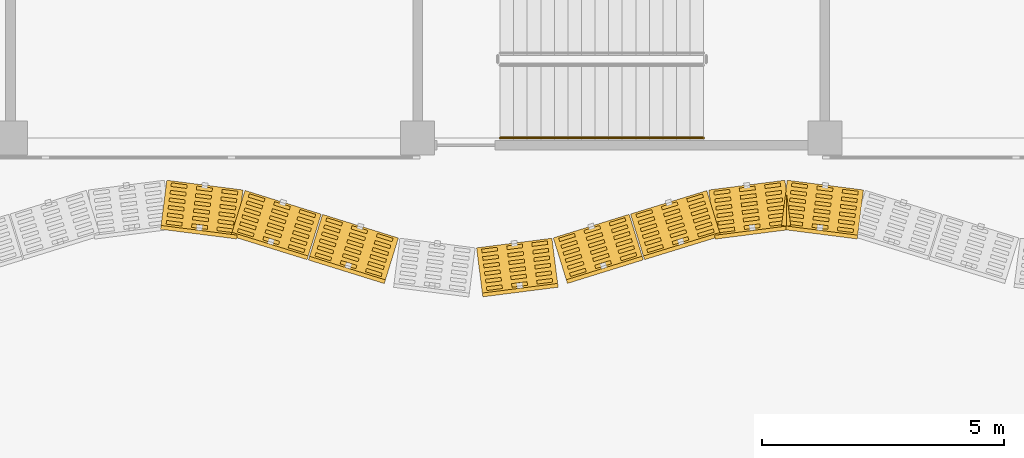
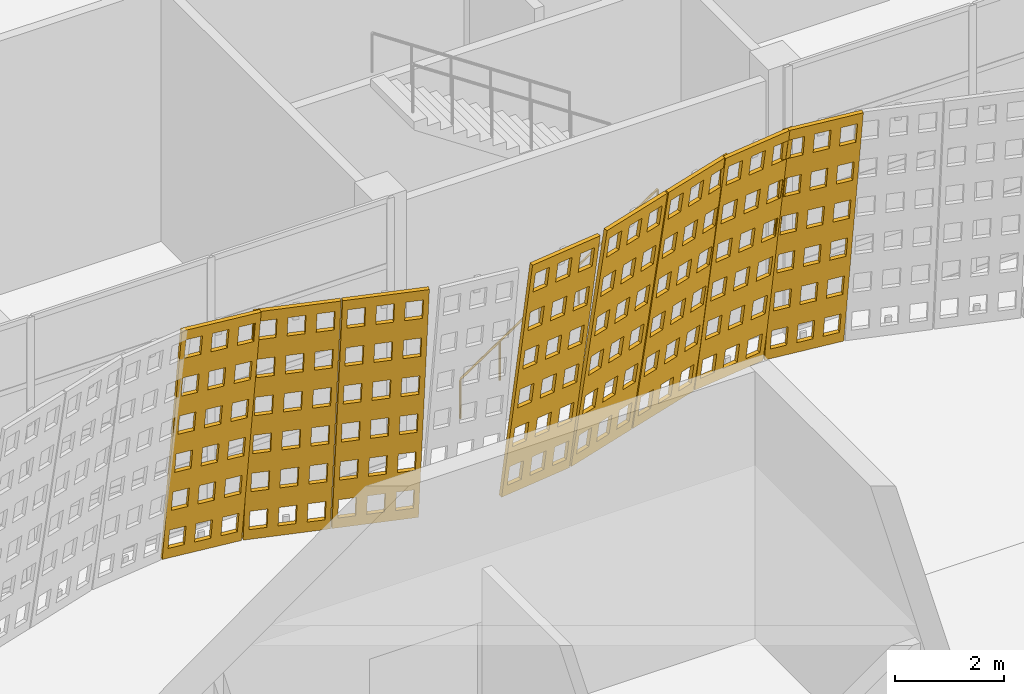
# One storey, part 193 of 210: 8 coverings, 1 railing.
"""IFC4 building model written with IfcOpenShell, lengths in metres."""

from ifc_helpers import new_model, si_unit, direction, frame, origin, origin_2d, place, context, subcontext, project, spatial, polyline, circle, outline, extrude, material, layer, layer_set, type_object, element, save


model = new_model("IFC4")

# Units and contexts
model_context = context("Model", 3, precision=1e-05, world=origin(), true_north=direction((0.0, 1.0)))
body_context = subcontext(model_context, "Body", "Model", "MODEL_VIEW")
ifc_project = project(units=[si_unit("LENGTHUNIT", "METRE"), si_unit("AREAUNIT", "SQUARE_METRE"), si_unit("VOLUMEUNIT", "CUBIC_METRE"), si_unit("PLANEANGLEUNIT", "RADIAN"), si_unit("MASSUNIT", "GRAM", prefix="KILO")], contexts=[model_context])

# Site, building, storey
site_placement = place(None, origin())
site = spatial("IfcSite", under=ifc_project, at=site_placement, CompositionType="ELEMENT")
building_placement = place(site_placement, origin())
building = spatial("IfcBuilding", under=site, at=building_placement, Name="Rain Tree Exposition and Congress Centre", CompositionType="ELEMENT")
storey_placement = place(building_placement, origin())
storey = spatial("IfcBuildingStorey", under=building, at=storey_placement, Name="L00", CompositionType="ELEMENT", Elevation=0.0)

# Railing
ifc_material_1 = material(Name="Aluminium handrail", Category="aluminium")
railing_type = type_object("IfcRailingType", Name="Concourse handrail 900", PredefinedType="HANDRAIL", material=ifc_material_1)
railing_placement = place(storey_placement, frame((211.699951171875, 75.60009765625, 0.1875)))
element("IfcRailing", 1, at=railing_placement, inside=storey, type_object=railing_type, Name="L00 ST-C5 stair handrail 1", PredefinedType="HANDRAIL", context=body_context, shape_type="SweptSolid", body=[
    extrude(circle(Radius=0.02392578125, at=origin_2d()), frame((0.0, 0.0, 0.8759765625), z_axis=(0.830904186295, 0.0, 0.556415522067), x_axis=(0.0, 1.0, 0.0)), (0.0, 0.0, 1.0), 5.0546875),
    extrude(circle(Radius=0.02099609375, at=origin_2d()), origin(), (0.0, 0.0, 1.0), 0.851806640625),
    extrude(circle(Radius=0.02099609375, at=origin_2d()), frame((0.840087890625, 0.0, 0.5625)), (0.0, 0.0, 1.0), 0.851806640625),
    extrude(circle(Radius=0.02099609375, at=origin_2d()), frame((1.679931640625, 0.0, 1.125)), (0.0, 0.0, 1.0), 0.851806640625),
    extrude(circle(Radius=0.02099609375, at=origin_2d()), frame((2.52001953125, 0.0, 1.6875)), (0.0, 0.0, 1.0), 0.851806640625),
    extrude(circle(Radius=0.02099609375, at=origin_2d()), frame((3.35986328125, 0.0, 2.25)), (0.0, 0.0, 1.0), 0.851806640625),
    extrude(circle(Radius=0.02099609375, at=origin_2d()), frame((4.199951171875, 0.0, 2.8125)), (0.0, 0.0, 1.0), 0.851806640625),
])

# Coverings
ifc_material_2 = material(Name="Perforated terracotta", Category="masonry")
ifc_layer = layer(ifc_material_2, 0.080078125)
ifc_layer_set = layer_set([ifc_layer], Name="Perforated terracotta")
covering_type = type_object("IfcCoveringType", Name="Terracotta screen 80", PredefinedType="CLADDING", material=ifc_layer_set)
covering_1_placement = place(storey_placement, frame((204.800048828125, 74.64990234375, 0.0), z_axis=(0.125030801275, 0.978899688033, 0.161625182136), x_axis=(-0.991941518713, 0.126696580272, 0.0)))
element("IfcCovering", 2, at=covering_1_placement, inside=storey, type_object=covering_type, Name="concourse/screen/L00/129", PredefinedType="CLADDING", context=body_context, shape_type="SweptSolid", body=[
    extrude(outline(polyline([(-0.014892578125, 0.0), (-1.59814453125, 0.0), (-1.59814453125, 5.813720703125), (-0.014892578125, 5.813720703125), (-0.014892578125, 0.0)]), holes=[polyline([(-0.115234375, 0.25), (-0.115234375, 0.718994140625), (-0.4423828125, 0.718994140625), (-0.4423828125, 0.25), (-0.115234375, 0.25)]), polyline([(-0.115234375, 1.218994140625), (-0.115234375, 1.687744140625), (-0.4423828125, 1.687744140625), (-0.4423828125, 1.218994140625), (-0.115234375, 1.218994140625)]), polyline([(-0.115234375, 2.18798828125), (-0.115234375, 2.65673828125), (-0.4423828125, 2.65673828125), (-0.4423828125, 2.18798828125), (-0.115234375, 2.18798828125)]), polyline([(-0.115234375, 3.156982421875), (-0.115234375, 3.625732421875), (-0.4423828125, 3.625732421875), (-0.4423828125, 3.156982421875), (-0.115234375, 3.156982421875)]), polyline([(-0.115234375, 4.125732421875), (-0.115234375, 4.594482421875), (-0.4423828125, 4.594482421875), (-0.4423828125, 4.125732421875), (-0.115234375, 4.125732421875)]), polyline([(-0.115234375, 5.0947265625), (-0.115234375, 5.563720703125), (-0.4423828125, 5.563720703125), (-0.4423828125, 5.0947265625), (-0.115234375, 5.0947265625)]), polyline([(-0.64306640625, 0.25), (-0.64306640625, 0.718994140625), (-0.97021484375, 0.718994140625), (-0.97021484375, 0.25), (-0.64306640625, 0.25)]), polyline([(-0.64306640625, 1.218994140625), (-0.64306640625, 1.687744140625), (-0.97021484375, 1.687744140625), (-0.97021484375, 1.218994140625), (-0.64306640625, 1.218994140625)]), polyline([(-0.64306640625, 2.18798828125), (-0.64306640625, 2.65673828125), (-0.97021484375, 2.65673828125), (-0.97021484375, 2.18798828125), (-0.64306640625, 2.18798828125)]), polyline([(-0.64306640625, 3.156982421875), (-0.64306640625, 3.625732421875), (-0.97021484375, 3.625732421875), (-0.97021484375, 3.156982421875), (-0.64306640625, 3.156982421875)]), polyline([(-0.64306640625, 4.125732421875), (-0.64306640625, 4.594482421875), (-0.97021484375, 4.594482421875), (-0.97021484375, 4.125732421875), (-0.64306640625, 4.125732421875)]), polyline([(-0.64306640625, 5.0947265625), (-0.64306640625, 5.563720703125), (-0.97021484375, 5.563720703125), (-0.97021484375, 5.0947265625), (-0.64306640625, 5.0947265625)]), polyline([(-1.170654296875, 0.25), (-1.170654296875, 0.718994140625), (-1.497802734375, 0.718994140625), (-1.497802734375, 0.25), (-1.170654296875, 0.25)]), polyline([(-1.170654296875, 1.218994140625), (-1.170654296875, 1.687744140625), (-1.497802734375, 1.687744140625), (-1.497802734375, 1.218994140625), (-1.170654296875, 1.218994140625)]), polyline([(-1.170654296875, 2.18798828125), (-1.170654296875, 2.65673828125), (-1.497802734375, 2.65673828125), (-1.497802734375, 2.18798828125), (-1.170654296875, 2.18798828125)]), polyline([(-1.170654296875, 3.156982421875), (-1.170654296875, 3.625732421875), (-1.497802734375, 3.625732421875), (-1.497802734375, 3.156982421875), (-1.170654296875, 3.156982421875)]), polyline([(-1.170654296875, 4.125732421875), (-1.170654296875, 4.594482421875), (-1.497802734375, 4.594482421875), (-1.497802734375, 4.125732421875), (-1.170654296875, 4.125732421875)]), polyline([(-1.170654296875, 5.0947265625), (-1.170654296875, 5.563720703125), (-1.497802734375, 5.563720703125), (-1.497802734375, 5.0947265625), (-1.170654296875, 5.0947265625)])]), origin(), (0.0, 0.0, 1.0), 0.080078125),
])
covering_2_placement = place(storey_placement, frame((206.39990234375, 74.445068359375, 0.0), z_axis=(0.293072736571, 0.943327870838, 0.155694891303), x_axis=(-0.954973588716, 0.296690823679, 0.0)))
element("IfcCovering", 3, at=covering_2_placement, inside=storey, type_object=covering_type, Name="concourse/screen/L00/130", PredefinedType="CLADDING", context=body_context, shape_type="SweptSolid", body=[
    extrude(outline(polyline([(-0.014892578125, 0.0), (-1.659912109375, 0.0), (-1.659912109375, 5.80859375), (-0.014892578125, 5.80859375), (-0.014892578125, 0.0)]), holes=[polyline([(-0.119140625, 0.249755859375), (-0.119140625, 0.71826171875), (-0.458984375, 0.71826171875), (-0.458984375, 0.249755859375), (-0.119140625, 0.249755859375)]), polyline([(-0.119140625, 1.218017578125), (-0.119140625, 1.686279296875), (-0.458984375, 1.686279296875), (-0.458984375, 1.218017578125), (-0.119140625, 1.218017578125)]), polyline([(-0.119140625, 2.18603515625), (-0.119140625, 2.654541015625), (-0.458984375, 2.654541015625), (-0.458984375, 2.18603515625), (-0.119140625, 2.18603515625)]), polyline([(-0.119140625, 3.154052734375), (-0.119140625, 3.62255859375), (-0.458984375, 3.62255859375), (-0.458984375, 3.154052734375), (-0.119140625, 3.154052734375)]), polyline([(-0.119140625, 4.122314453125), (-0.119140625, 4.5908203125), (-0.458984375, 4.5908203125), (-0.458984375, 4.122314453125), (-0.119140625, 4.122314453125)]), polyline([(-0.119140625, 5.09033203125), (-0.119140625, 5.558837890625), (-0.458984375, 5.558837890625), (-0.458984375, 5.09033203125), (-0.119140625, 5.09033203125)]), polyline([(-0.66748046875, 0.249755859375), (-0.66748046875, 0.71826171875), (-1.00732421875, 0.71826171875), (-1.00732421875, 0.249755859375), (-0.66748046875, 0.249755859375)]), polyline([(-0.66748046875, 1.218017578125), (-0.66748046875, 1.686279296875), (-1.00732421875, 1.686279296875), (-1.00732421875, 1.218017578125), (-0.66748046875, 1.218017578125)]), polyline([(-0.66748046875, 2.18603515625), (-0.66748046875, 2.654541015625), (-1.00732421875, 2.654541015625), (-1.00732421875, 2.18603515625), (-0.66748046875, 2.18603515625)]), polyline([(-0.66748046875, 3.154052734375), (-0.66748046875, 3.62255859375), (-1.00732421875, 3.62255859375), (-1.00732421875, 3.154052734375), (-0.66748046875, 3.154052734375)]), polyline([(-0.66748046875, 4.122314453125), (-0.66748046875, 4.5908203125), (-1.00732421875, 4.5908203125), (-1.00732421875, 4.122314453125), (-0.66748046875, 4.122314453125)]), polyline([(-0.66748046875, 5.09033203125), (-0.66748046875, 5.558837890625), (-1.00732421875, 5.558837890625), (-1.00732421875, 5.09033203125), (-0.66748046875, 5.09033203125)]), polyline([(-1.2158203125, 0.249755859375), (-1.2158203125, 0.71826171875), (-1.5556640625, 0.71826171875), (-1.5556640625, 0.249755859375), (-1.2158203125, 0.249755859375)]), polyline([(-1.2158203125, 1.218017578125), (-1.2158203125, 1.686279296875), (-1.5556640625, 1.686279296875), (-1.5556640625, 1.218017578125), (-1.2158203125, 1.218017578125)]), polyline([(-1.2158203125, 2.18603515625), (-1.2158203125, 2.654541015625), (-1.5556640625, 2.654541015625), (-1.5556640625, 2.18603515625), (-1.2158203125, 2.18603515625)]), polyline([(-1.2158203125, 3.154052734375), (-1.2158203125, 3.62255859375), (-1.5556640625, 3.62255859375), (-1.5556640625, 3.154052734375), (-1.2158203125, 3.154052734375)]), polyline([(-1.2158203125, 4.122314453125), (-1.2158203125, 4.5908203125), (-1.5556640625, 4.5908203125), (-1.5556640625, 4.122314453125), (-1.2158203125, 4.122314453125)]), polyline([(-1.2158203125, 5.09033203125), (-1.2158203125, 5.558837890625), (-1.5556640625, 5.558837890625), (-1.5556640625, 5.09033203125), (-1.2158203125, 5.09033203125)])]), origin(), (0.0, 0.0, 1.0), 0.080078125),
])
covering_3_placement = place(storey_placement, frame((208.0, 73.949951171875, 0.0), z_axis=(0.293072736571, 0.943327870838, 0.155694891303), x_axis=(-0.954973588716, 0.296690823679, 0.0)))
element("IfcCovering", 4, at=covering_3_placement, inside=storey, type_object=covering_type, Name="concourse/screen/L00/131", PredefinedType="CLADDING", context=body_context, shape_type="SweptSolid", body=[
    extrude(outline(polyline([(-0.014892578125, 0.0), (-1.65283203125, 0.0), (-1.65283203125, 5.80859375), (-0.014892578125, 5.80859375), (-0.014892578125, 0.0)]), holes=[polyline([(-0.11865234375, 0.249755859375), (-0.11865234375, 0.71826171875), (-0.457275390625, 0.71826171875), (-0.457275390625, 0.249755859375), (-0.11865234375, 0.249755859375)]), polyline([(-0.11865234375, 1.218017578125), (-0.11865234375, 1.686279296875), (-0.457275390625, 1.686279296875), (-0.457275390625, 1.218017578125), (-0.11865234375, 1.218017578125)]), polyline([(-0.11865234375, 2.18603515625), (-0.11865234375, 2.654541015625), (-0.457275390625, 2.654541015625), (-0.457275390625, 2.18603515625), (-0.11865234375, 2.18603515625)]), polyline([(-0.11865234375, 3.154052734375), (-0.11865234375, 3.62255859375), (-0.457275390625, 3.62255859375), (-0.457275390625, 3.154052734375), (-0.11865234375, 3.154052734375)]), polyline([(-0.11865234375, 4.122314453125), (-0.11865234375, 4.5908203125), (-0.457275390625, 4.5908203125), (-0.457275390625, 4.122314453125), (-0.11865234375, 4.122314453125)]), polyline([(-0.11865234375, 5.09033203125), (-0.11865234375, 5.558837890625), (-0.457275390625, 5.558837890625), (-0.457275390625, 5.09033203125), (-0.11865234375, 5.09033203125)]), polyline([(-0.664794921875, 0.249755859375), (-0.664794921875, 0.71826171875), (-1.003173828125, 0.71826171875), (-1.003173828125, 0.249755859375), (-0.664794921875, 0.249755859375)]), polyline([(-0.664794921875, 1.218017578125), (-0.664794921875, 1.686279296875), (-1.003173828125, 1.686279296875), (-1.003173828125, 1.218017578125), (-0.664794921875, 1.218017578125)]), polyline([(-0.664794921875, 2.18603515625), (-0.664794921875, 2.654541015625), (-1.003173828125, 2.654541015625), (-1.003173828125, 2.18603515625), (-0.664794921875, 2.18603515625)]), polyline([(-0.664794921875, 3.154052734375), (-0.664794921875, 3.62255859375), (-1.003173828125, 3.62255859375), (-1.003173828125, 3.154052734375), (-0.664794921875, 3.154052734375)]), polyline([(-0.664794921875, 4.122314453125), (-0.664794921875, 4.5908203125), (-1.003173828125, 4.5908203125), (-1.003173828125, 4.122314453125), (-0.664794921875, 4.122314453125)]), polyline([(-0.664794921875, 5.09033203125), (-0.664794921875, 5.558837890625), (-1.003173828125, 5.558837890625), (-1.003173828125, 5.09033203125), (-0.664794921875, 5.09033203125)]), polyline([(-1.210693359375, 0.249755859375), (-1.210693359375, 0.71826171875), (-1.54931640625, 0.71826171875), (-1.54931640625, 0.249755859375), (-1.210693359375, 0.249755859375)]), polyline([(-1.210693359375, 1.218017578125), (-1.210693359375, 1.686279296875), (-1.54931640625, 1.686279296875), (-1.54931640625, 1.218017578125), (-1.210693359375, 1.218017578125)]), polyline([(-1.210693359375, 2.18603515625), (-1.210693359375, 2.654541015625), (-1.54931640625, 2.654541015625), (-1.54931640625, 2.18603515625), (-1.210693359375, 2.18603515625)]), polyline([(-1.210693359375, 3.154052734375), (-1.210693359375, 3.62255859375), (-1.54931640625, 3.62255859375), (-1.54931640625, 3.154052734375), (-1.210693359375, 3.154052734375)]), polyline([(-1.210693359375, 4.122314453125), (-1.210693359375, 4.5908203125), (-1.54931640625, 4.5908203125), (-1.54931640625, 4.122314453125), (-1.210693359375, 4.122314453125)]), polyline([(-1.210693359375, 5.09033203125), (-1.210693359375, 5.558837890625), (-1.54931640625, 5.558837890625), (-1.54931640625, 5.09033203125), (-1.210693359375, 5.09033203125)])]), origin(), (0.0, 0.0, 1.0), 0.080078125),
])
covering_4_placement = place(storey_placement, frame((211.199951171875, 73.25, 0.0), z_axis=(-0.125030801275, 0.978899688033, 0.161625182136), x_axis=(-0.991941518713, -0.126696580272, 0.0)))
element("IfcCovering", 5, at=covering_4_placement, inside=storey, type_object=covering_type, Name="concourse/screen/L00/133", PredefinedType="CLADDING", context=body_context, shape_type="SweptSolid", body=[
    extrude(outline(polyline([(-0.025146484375, 0.0), (-1.59130859375, 0.0), (-1.59130859375, 5.813720703125), (-0.025146484375, 5.813720703125), (-0.025146484375, 0.0)]), holes=[polyline([(-0.12451171875, 0.25), (-0.12451171875, 0.718994140625), (-0.447998046875, 0.718994140625), (-0.447998046875, 0.25), (-0.12451171875, 0.25)]), polyline([(-0.12451171875, 1.218994140625), (-0.12451171875, 1.687744140625), (-0.447998046875, 1.687744140625), (-0.447998046875, 1.218994140625), (-0.12451171875, 1.218994140625)]), polyline([(-0.12451171875, 2.18798828125), (-0.12451171875, 2.65673828125), (-0.447998046875, 2.65673828125), (-0.447998046875, 2.18798828125), (-0.12451171875, 2.18798828125)]), polyline([(-0.12451171875, 3.156982421875), (-0.12451171875, 3.625732421875), (-0.447998046875, 3.625732421875), (-0.447998046875, 3.156982421875), (-0.12451171875, 3.156982421875)]), polyline([(-0.12451171875, 4.125732421875), (-0.12451171875, 4.594482421875), (-0.447998046875, 4.594482421875), (-0.447998046875, 4.125732421875), (-0.12451171875, 4.125732421875)]), polyline([(-0.12451171875, 5.0947265625), (-0.12451171875, 5.563720703125), (-0.447998046875, 5.563720703125), (-0.447998046875, 5.0947265625), (-0.12451171875, 5.0947265625)]), polyline([(-0.646484375, 0.25), (-0.646484375, 0.718994140625), (-0.969970703125, 0.718994140625), (-0.969970703125, 0.25), (-0.646484375, 0.25)]), polyline([(-0.646484375, 1.218994140625), (-0.646484375, 1.687744140625), (-0.969970703125, 1.687744140625), (-0.969970703125, 1.218994140625), (-0.646484375, 1.218994140625)]), polyline([(-0.646484375, 2.18798828125), (-0.646484375, 2.65673828125), (-0.969970703125, 2.65673828125), (-0.969970703125, 2.18798828125), (-0.646484375, 2.18798828125)]), polyline([(-0.646484375, 3.156982421875), (-0.646484375, 3.625732421875), (-0.969970703125, 3.625732421875), (-0.969970703125, 3.156982421875), (-0.646484375, 3.156982421875)]), polyline([(-0.646484375, 4.125732421875), (-0.646484375, 4.594482421875), (-0.969970703125, 4.594482421875), (-0.969970703125, 4.125732421875), (-0.646484375, 4.125732421875)]), polyline([(-0.646484375, 5.0947265625), (-0.646484375, 5.563720703125), (-0.969970703125, 5.563720703125), (-0.969970703125, 5.0947265625), (-0.646484375, 5.0947265625)]), polyline([(-1.16845703125, 0.25), (-1.16845703125, 0.718994140625), (-1.491943359375, 0.718994140625), (-1.491943359375, 0.25), (-1.16845703125, 0.25)]), polyline([(-1.16845703125, 1.218994140625), (-1.16845703125, 1.687744140625), (-1.491943359375, 1.687744140625), (-1.491943359375, 1.218994140625), (-1.16845703125, 1.218994140625)]), polyline([(-1.16845703125, 2.18798828125), (-1.16845703125, 2.65673828125), (-1.491943359375, 2.65673828125), (-1.491943359375, 2.18798828125), (-1.16845703125, 2.18798828125)]), polyline([(-1.16845703125, 3.156982421875), (-1.16845703125, 3.625732421875), (-1.491943359375, 3.625732421875), (-1.491943359375, 3.156982421875), (-1.16845703125, 3.156982421875)]), polyline([(-1.16845703125, 4.125732421875), (-1.16845703125, 4.594482421875), (-1.491943359375, 4.594482421875), (-1.491943359375, 4.125732421875), (-1.16845703125, 4.125732421875)]), polyline([(-1.16845703125, 5.0947265625), (-1.16845703125, 5.563720703125), (-1.491943359375, 5.563720703125), (-1.491943359375, 5.0947265625), (-1.16845703125, 5.0947265625)])]), origin(), (0.0, 0.0, 1.0), 0.080078125),
])
covering_5_placement = place(storey_placement, frame((212.800048828125, 73.455078125, 0.0), z_axis=(-0.293072736571, 0.943327870838, 0.155694891303), x_axis=(-0.954973588716, -0.296690823679, 0.0)))
element("IfcCovering", 6, at=covering_5_placement, inside=storey, type_object=covering_type, Name="concourse/screen/L00/134", PredefinedType="CLADDING", context=body_context, shape_type="SweptSolid", body=[
    extrude(outline(polyline([(-0.02197265625, 0.0), (-1.659912109375, 0.0), (-1.659912109375, 5.80859375), (-0.02197265625, 5.80859375), (-0.02197265625, 0.0)]), holes=[polyline([(-0.125732421875, 0.249755859375), (-0.125732421875, 0.71826171875), (-0.464111328125, 0.71826171875), (-0.464111328125, 0.249755859375), (-0.125732421875, 0.249755859375)]), polyline([(-0.125732421875, 1.218017578125), (-0.125732421875, 1.686279296875), (-0.464111328125, 1.686279296875), (-0.464111328125, 1.218017578125), (-0.125732421875, 1.218017578125)]), polyline([(-0.125732421875, 2.18603515625), (-0.125732421875, 2.654541015625), (-0.464111328125, 2.654541015625), (-0.464111328125, 2.18603515625), (-0.125732421875, 2.18603515625)]), polyline([(-0.125732421875, 3.154052734375), (-0.125732421875, 3.62255859375), (-0.464111328125, 3.62255859375), (-0.464111328125, 3.154052734375), (-0.125732421875, 3.154052734375)]), polyline([(-0.125732421875, 4.122314453125), (-0.125732421875, 4.5908203125), (-0.464111328125, 4.5908203125), (-0.464111328125, 4.122314453125), (-0.125732421875, 4.122314453125)]), polyline([(-0.125732421875, 5.09033203125), (-0.125732421875, 5.558837890625), (-0.464111328125, 5.558837890625), (-0.464111328125, 5.09033203125), (-0.125732421875, 5.09033203125)]), polyline([(-0.671630859375, 0.249755859375), (-0.671630859375, 0.71826171875), (-1.010009765625, 0.71826171875), (-1.010009765625, 0.249755859375), (-0.671630859375, 0.249755859375)]), polyline([(-0.671630859375, 1.218017578125), (-0.671630859375, 1.686279296875), (-1.010009765625, 1.686279296875), (-1.010009765625, 1.218017578125), (-0.671630859375, 1.218017578125)]), polyline([(-0.671630859375, 2.18603515625), (-0.671630859375, 2.654541015625), (-1.010009765625, 2.654541015625), (-1.010009765625, 2.18603515625), (-0.671630859375, 2.18603515625)]), polyline([(-0.671630859375, 3.154052734375), (-0.671630859375, 3.62255859375), (-1.010009765625, 3.62255859375), (-1.010009765625, 3.154052734375), (-0.671630859375, 3.154052734375)]), polyline([(-0.671630859375, 4.122314453125), (-0.671630859375, 4.5908203125), (-1.010009765625, 4.5908203125), (-1.010009765625, 4.122314453125), (-0.671630859375, 4.122314453125)]), polyline([(-0.671630859375, 5.09033203125), (-0.671630859375, 5.558837890625), (-1.010009765625, 5.558837890625), (-1.010009765625, 5.09033203125), (-0.671630859375, 5.09033203125)]), polyline([(-1.217529296875, 0.249755859375), (-1.217529296875, 0.71826171875), (-1.55615234375, 0.71826171875), (-1.55615234375, 0.249755859375), (-1.217529296875, 0.249755859375)]), polyline([(-1.217529296875, 1.218017578125), (-1.217529296875, 1.686279296875), (-1.55615234375, 1.686279296875), (-1.55615234375, 1.218017578125), (-1.217529296875, 1.218017578125)]), polyline([(-1.217529296875, 2.18603515625), (-1.217529296875, 2.654541015625), (-1.55615234375, 2.654541015625), (-1.55615234375, 2.18603515625), (-1.217529296875, 2.18603515625)]), polyline([(-1.217529296875, 3.154052734375), (-1.217529296875, 3.62255859375), (-1.55615234375, 3.62255859375), (-1.55615234375, 3.154052734375), (-1.217529296875, 3.154052734375)]), polyline([(-1.217529296875, 4.122314453125), (-1.217529296875, 4.5908203125), (-1.55615234375, 4.5908203125), (-1.55615234375, 4.122314453125), (-1.217529296875, 4.122314453125)]), polyline([(-1.217529296875, 5.09033203125), (-1.217529296875, 5.558837890625), (-1.55615234375, 5.558837890625), (-1.55615234375, 5.09033203125), (-1.217529296875, 5.09033203125)])]), origin(), (0.0, 0.0, 1.0), 0.080078125),
])
covering_6_placement = place(storey_placement, frame((214.39990234375, 73.949951171875, 0.0), z_axis=(-0.290278371326, 0.94416859726, 0.155833651975), x_axis=(-0.955845867297, -0.293868470528, 0.0)))
element("IfcCovering", 7, at=covering_6_placement, inside=storey, type_object=covering_type, Name="concourse/screen/L00/135", PredefinedType="CLADDING", context=body_context, shape_type="SweptSolid", body=[
    extrude(outline(polyline([(-0.014892578125, 0.0), (-1.659912109375, 0.0), (-1.659912109375, 5.80859375), (-0.014892578125, 5.80859375), (-0.014892578125, 0.0)]), holes=[polyline([(-0.119140625, 0.249755859375), (-0.119140625, 0.71826171875), (-0.458984375, 0.71826171875), (-0.458984375, 0.249755859375), (-0.119140625, 0.249755859375)]), polyline([(-0.119140625, 1.218017578125), (-0.119140625, 1.686279296875), (-0.458984375, 1.686279296875), (-0.458984375, 1.218017578125), (-0.119140625, 1.218017578125)]), polyline([(-0.119140625, 2.18603515625), (-0.119140625, 2.654541015625), (-0.458984375, 2.654541015625), (-0.458984375, 2.18603515625), (-0.119140625, 2.18603515625)]), polyline([(-0.119140625, 3.154052734375), (-0.119140625, 3.62255859375), (-0.458984375, 3.62255859375), (-0.458984375, 3.154052734375), (-0.119140625, 3.154052734375)]), polyline([(-0.119140625, 4.122314453125), (-0.119140625, 4.5908203125), (-0.458984375, 4.5908203125), (-0.458984375, 4.122314453125), (-0.119140625, 4.122314453125)]), polyline([(-0.119140625, 5.09033203125), (-0.119140625, 5.558837890625), (-0.458984375, 5.558837890625), (-0.458984375, 5.09033203125), (-0.119140625, 5.09033203125)]), polyline([(-0.66748046875, 0.249755859375), (-0.66748046875, 0.71826171875), (-1.00732421875, 0.71826171875), (-1.00732421875, 0.249755859375), (-0.66748046875, 0.249755859375)]), polyline([(-0.66748046875, 1.218017578125), (-0.66748046875, 1.686279296875), (-1.00732421875, 1.686279296875), (-1.00732421875, 1.218017578125), (-0.66748046875, 1.218017578125)]), polyline([(-0.66748046875, 2.18603515625), (-0.66748046875, 2.654541015625), (-1.00732421875, 2.654541015625), (-1.00732421875, 2.18603515625), (-0.66748046875, 2.18603515625)]), polyline([(-0.66748046875, 3.154052734375), (-0.66748046875, 3.62255859375), (-1.00732421875, 3.62255859375), (-1.00732421875, 3.154052734375), (-0.66748046875, 3.154052734375)]), polyline([(-0.66748046875, 4.122314453125), (-0.66748046875, 4.5908203125), (-1.00732421875, 4.5908203125), (-1.00732421875, 4.122314453125), (-0.66748046875, 4.122314453125)]), polyline([(-0.66748046875, 5.09033203125), (-0.66748046875, 5.558837890625), (-1.00732421875, 5.558837890625), (-1.00732421875, 5.09033203125), (-0.66748046875, 5.09033203125)]), polyline([(-1.2158203125, 0.249755859375), (-1.2158203125, 0.71826171875), (-1.5556640625, 0.71826171875), (-1.5556640625, 0.249755859375), (-1.2158203125, 0.249755859375)]), polyline([(-1.2158203125, 1.218017578125), (-1.2158203125, 1.686279296875), (-1.5556640625, 1.686279296875), (-1.5556640625, 1.218017578125), (-1.2158203125, 1.218017578125)]), polyline([(-1.2158203125, 2.18603515625), (-1.2158203125, 2.654541015625), (-1.5556640625, 2.654541015625), (-1.5556640625, 2.18603515625), (-1.2158203125, 2.18603515625)]), polyline([(-1.2158203125, 3.154052734375), (-1.2158203125, 3.62255859375), (-1.5556640625, 3.62255859375), (-1.5556640625, 3.154052734375), (-1.2158203125, 3.154052734375)]), polyline([(-1.2158203125, 4.122314453125), (-1.2158203125, 4.5908203125), (-1.5556640625, 4.5908203125), (-1.5556640625, 4.122314453125), (-1.2158203125, 4.122314453125)]), polyline([(-1.2158203125, 5.09033203125), (-1.2158203125, 5.558837890625), (-1.5556640625, 5.558837890625), (-1.5556640625, 5.09033203125), (-1.2158203125, 5.09033203125)])]), origin(), (0.0, 0.0, 1.0), 0.079833984375),
])
covering_7_placement = place(storey_placement, frame((216.0, 74.445068359375, 0.0), z_axis=(-0.125405134464, 0.978771781185, 0.162109076259), x_axis=(-0.991891686382, -0.127086122318, 0.0)))
element("IfcCovering", 8, at=covering_7_placement, inside=storey, type_object=covering_type, Name="concourse/screen/L00/136", PredefinedType="CLADDING", context=body_context, shape_type="SweptSolid", body=[
    extrude(outline(polyline([(-0.014892578125, 0.0), (-1.59814453125, 0.0), (-1.59814453125, 5.813720703125), (-0.014892578125, 5.813720703125), (-0.014892578125, 0.0)]), holes=[polyline([(-0.115234375, 0.25), (-0.115234375, 0.718994140625), (-0.4423828125, 0.718994140625), (-0.4423828125, 0.25), (-0.115234375, 0.25)]), polyline([(-0.115234375, 1.218994140625), (-0.115234375, 1.687744140625), (-0.4423828125, 1.687744140625), (-0.4423828125, 1.218994140625), (-0.115234375, 1.218994140625)]), polyline([(-0.115234375, 2.18798828125), (-0.115234375, 2.65673828125), (-0.4423828125, 2.65673828125), (-0.4423828125, 2.18798828125), (-0.115234375, 2.18798828125)]), polyline([(-0.115234375, 3.156982421875), (-0.115234375, 3.625732421875), (-0.4423828125, 3.625732421875), (-0.4423828125, 3.156982421875), (-0.115234375, 3.156982421875)]), polyline([(-0.115234375, 4.125732421875), (-0.115234375, 4.594482421875), (-0.4423828125, 4.594482421875), (-0.4423828125, 4.125732421875), (-0.115234375, 4.125732421875)]), polyline([(-0.115234375, 5.0947265625), (-0.115234375, 5.563720703125), (-0.4423828125, 5.563720703125), (-0.4423828125, 5.0947265625), (-0.115234375, 5.0947265625)]), polyline([(-0.64306640625, 0.25), (-0.64306640625, 0.718994140625), (-0.97021484375, 0.718994140625), (-0.97021484375, 0.25), (-0.64306640625, 0.25)]), polyline([(-0.64306640625, 1.218994140625), (-0.64306640625, 1.687744140625), (-0.97021484375, 1.687744140625), (-0.97021484375, 1.218994140625), (-0.64306640625, 1.218994140625)]), polyline([(-0.64306640625, 2.18798828125), (-0.64306640625, 2.65673828125), (-0.97021484375, 2.65673828125), (-0.97021484375, 2.18798828125), (-0.64306640625, 2.18798828125)]), polyline([(-0.64306640625, 3.156982421875), (-0.64306640625, 3.625732421875), (-0.97021484375, 3.625732421875), (-0.97021484375, 3.156982421875), (-0.64306640625, 3.156982421875)]), polyline([(-0.64306640625, 4.125732421875), (-0.64306640625, 4.594482421875), (-0.97021484375, 4.594482421875), (-0.97021484375, 4.125732421875), (-0.64306640625, 4.125732421875)]), polyline([(-0.64306640625, 5.0947265625), (-0.64306640625, 5.563720703125), (-0.97021484375, 5.563720703125), (-0.97021484375, 5.0947265625), (-0.64306640625, 5.0947265625)]), polyline([(-1.170654296875, 0.25), (-1.170654296875, 0.718994140625), (-1.497802734375, 0.718994140625), (-1.497802734375, 0.25), (-1.170654296875, 0.25)]), polyline([(-1.170654296875, 1.218994140625), (-1.170654296875, 1.687744140625), (-1.497802734375, 1.687744140625), (-1.497802734375, 1.218994140625), (-1.170654296875, 1.218994140625)]), polyline([(-1.170654296875, 2.18798828125), (-1.170654296875, 2.65673828125), (-1.497802734375, 2.65673828125), (-1.497802734375, 2.18798828125), (-1.170654296875, 2.18798828125)]), polyline([(-1.170654296875, 3.156982421875), (-1.170654296875, 3.625732421875), (-1.497802734375, 3.625732421875), (-1.497802734375, 3.156982421875), (-1.170654296875, 3.156982421875)]), polyline([(-1.170654296875, 4.125732421875), (-1.170654296875, 4.594482421875), (-1.497802734375, 4.594482421875), (-1.497802734375, 4.125732421875), (-1.170654296875, 4.125732421875)]), polyline([(-1.170654296875, 5.0947265625), (-1.170654296875, 5.563720703125), (-1.497802734375, 5.563720703125), (-1.497802734375, 5.0947265625), (-1.170654296875, 5.0947265625)])]), origin(), (0.0, 0.0, 1.0), 0.079833984375),
])
covering_8_placement = place(storey_placement, frame((217.60009765625, 74.64990234375, 0.0), z_axis=(0.125030801275, 0.978899688033, 0.161625182136), x_axis=(-0.991941518713, 0.126696580272, 0.0)))
element("IfcCovering", 9, at=covering_8_placement, inside=storey, type_object=covering_type, Name="concourse/screen/L00/137", PredefinedType="CLADDING", context=body_context, shape_type="SweptSolid", body=[
    extrude(outline(polyline([(-0.014892578125, 0.0), (-1.59814453125, 0.0), (-1.59814453125, 5.813720703125), (-0.014892578125, 5.813720703125), (-0.014892578125, 0.0)]), holes=[polyline([(-0.115234375, 0.25), (-0.115234375, 0.718994140625), (-0.4423828125, 0.718994140625), (-0.4423828125, 0.25), (-0.115234375, 0.25)]), polyline([(-0.115234375, 1.218994140625), (-0.115234375, 1.687744140625), (-0.4423828125, 1.687744140625), (-0.4423828125, 1.218994140625), (-0.115234375, 1.218994140625)]), polyline([(-0.115234375, 2.18798828125), (-0.115234375, 2.65673828125), (-0.4423828125, 2.65673828125), (-0.4423828125, 2.18798828125), (-0.115234375, 2.18798828125)]), polyline([(-0.115234375, 3.156982421875), (-0.115234375, 3.625732421875), (-0.4423828125, 3.625732421875), (-0.4423828125, 3.156982421875), (-0.115234375, 3.156982421875)]), polyline([(-0.115234375, 4.125732421875), (-0.115234375, 4.594482421875), (-0.4423828125, 4.594482421875), (-0.4423828125, 4.125732421875), (-0.115234375, 4.125732421875)]), polyline([(-0.115234375, 5.0947265625), (-0.115234375, 5.563720703125), (-0.4423828125, 5.563720703125), (-0.4423828125, 5.0947265625), (-0.115234375, 5.0947265625)]), polyline([(-0.64306640625, 0.25), (-0.64306640625, 0.718994140625), (-0.97021484375, 0.718994140625), (-0.97021484375, 0.25), (-0.64306640625, 0.25)]), polyline([(-0.64306640625, 1.218994140625), (-0.64306640625, 1.687744140625), (-0.97021484375, 1.687744140625), (-0.97021484375, 1.218994140625), (-0.64306640625, 1.218994140625)]), polyline([(-0.64306640625, 2.18798828125), (-0.64306640625, 2.65673828125), (-0.97021484375, 2.65673828125), (-0.97021484375, 2.18798828125), (-0.64306640625, 2.18798828125)]), polyline([(-0.64306640625, 3.156982421875), (-0.64306640625, 3.625732421875), (-0.97021484375, 3.625732421875), (-0.97021484375, 3.156982421875), (-0.64306640625, 3.156982421875)]), polyline([(-0.64306640625, 4.125732421875), (-0.64306640625, 4.594482421875), (-0.97021484375, 4.594482421875), (-0.97021484375, 4.125732421875), (-0.64306640625, 4.125732421875)]), polyline([(-0.64306640625, 5.0947265625), (-0.64306640625, 5.563720703125), (-0.97021484375, 5.563720703125), (-0.97021484375, 5.0947265625), (-0.64306640625, 5.0947265625)]), polyline([(-1.170654296875, 0.25), (-1.170654296875, 0.718994140625), (-1.497802734375, 0.718994140625), (-1.497802734375, 0.25), (-1.170654296875, 0.25)]), polyline([(-1.170654296875, 1.218994140625), (-1.170654296875, 1.687744140625), (-1.497802734375, 1.687744140625), (-1.497802734375, 1.218994140625), (-1.170654296875, 1.218994140625)]), polyline([(-1.170654296875, 2.18798828125), (-1.170654296875, 2.65673828125), (-1.497802734375, 2.65673828125), (-1.497802734375, 2.18798828125), (-1.170654296875, 2.18798828125)]), polyline([(-1.170654296875, 3.156982421875), (-1.170654296875, 3.625732421875), (-1.497802734375, 3.625732421875), (-1.497802734375, 3.156982421875), (-1.170654296875, 3.156982421875)]), polyline([(-1.170654296875, 4.125732421875), (-1.170654296875, 4.594482421875), (-1.497802734375, 4.594482421875), (-1.497802734375, 4.125732421875), (-1.170654296875, 4.125732421875)]), polyline([(-1.170654296875, 5.0947265625), (-1.170654296875, 5.563720703125), (-1.497802734375, 5.563720703125), (-1.497802734375, 5.0947265625), (-1.170654296875, 5.0947265625)])]), origin(), (0.0, 0.0, 1.0), 0.080078125),
])

save(model, "model.ifc")
